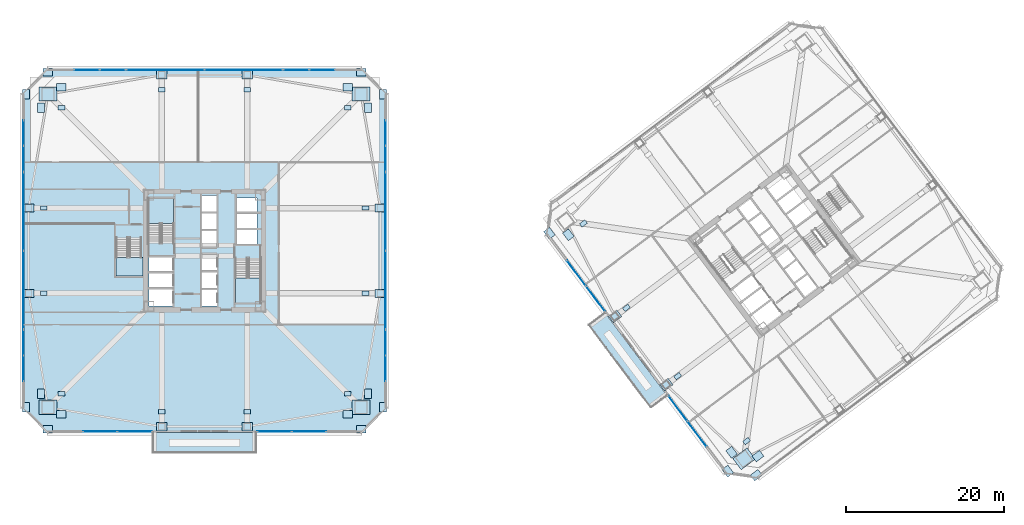
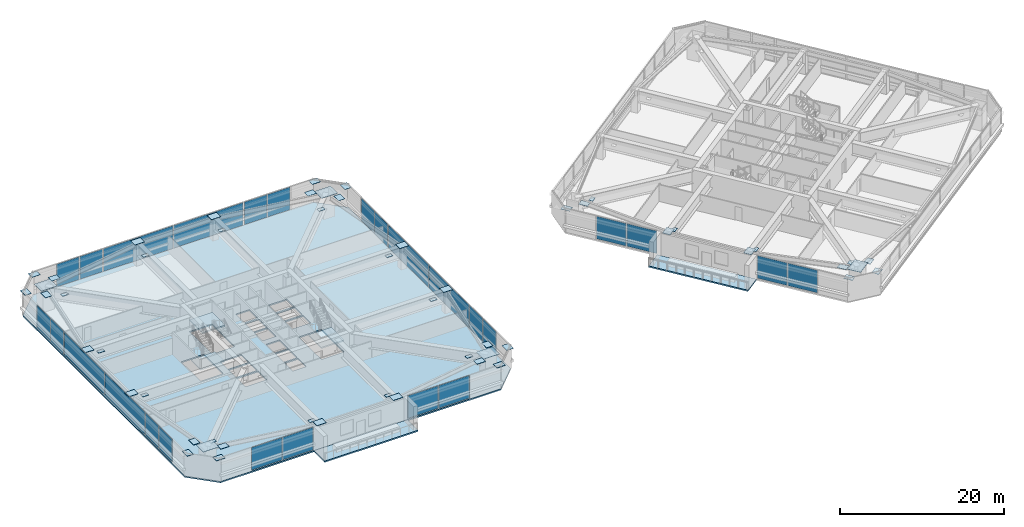
# One storey, part 36 of 48: 79 plates, 6 slabs, 16 elements without a shape of their own.
"""IFC4 building model written with IfcOpenShell, lengths in metres."""

from ifc_helpers import new_model, si_unit, direction, frame, origin, origin_2d, place, context, subcontext, project, spatial, polyline, rectangle, outline, extrude, material, layer, layer_set, type_object, element, aggregate, save


model = new_model("IFC4")

# Units and contexts
model_context = context("Model", 3, precision=1e-05, world=origin(), true_north=direction((0.0, 1.0)))
body_context = subcontext(model_context, "Body", "Model", "MODEL_VIEW")
ifc_project = project(units=[si_unit("LENGTHUNIT", "METRE"), si_unit("AREAUNIT", "SQUARE_METRE"), si_unit("VOLUMEUNIT", "CUBIC_METRE"), si_unit("PLANEANGLEUNIT", "RADIAN"), si_unit("MASSUNIT", "GRAM", prefix="KILO")], contexts=[model_context])

# Site, building, storey
site_placement = place(None, origin())
site = spatial("IfcSite", under=ifc_project, at=site_placement, CompositionType="ELEMENT")
building_placement = place(site_placement, origin())
building = spatial("IfcBuilding", under=site, at=building_placement, Name="Tashvorn Skyway Center", CompositionType="ELEMENT")
storey_placement = place(building_placement, frame((0.0, 0.0, 63.64990234375)))
storey = spatial("IfcBuildingStorey", under=building, at=storey_placement, Name="L16", CompositionType="ELEMENT", Elevation=63.64990234375)

# Curtain wall, plates
ifc_material_1 = material(Name="Thermally broken bronze-anodized aluminium 6063-T6", Category="aluminium")
curtain_wall_type = type_object("IfcCurtainWallType", Name="CW-CW-Z1", PredefinedType="NOTDEFINED", material=ifc_material_1)
curtain_wall_1_placement = place(storey_placement, origin())
curtain_wall_1 = element("IfcCurtainWall", 1, at=curtain_wall_1_placement, inside=storey, type_object=curtain_wall_type, Name="Tower 1 L16 South Curtain Wall L Glazing Group 1", PredefinedType="NOTDEFINED")
ifc_material_2 = material(Name="Low-E solar-control double insulating safety glass", Category="glass")
ifc_layer_1 = layer(ifc_material_2, 0.048095703125)
ifc_layer_set_1 = layer_set([ifc_layer_1], Name="Low-E solar-control double insulating safety glass")
plate_type_1 = type_object("IfcPlateType", Name="CWP-CW-Z1", PredefinedType="CURTAIN_PANEL", material=ifc_layer_set_1)
plate_1_placement = place(storey_placement, frame((55.21875, 9.1201171875, 0.085205078125), z_axis=(0.0, 0.0, 1.0), x_axis=(-1.0, 0.0, 0.0)))
plate_1 = element("IfcPlate", 2, at=plate_1_placement, type_object=plate_type_1, Name="CW-Z1 panel 1.1", PredefinedType="CURTAIN_PANEL", context=body_context, shape_type="SweptSolid", body=[
    extrude(rectangle(XDim=4.299072265625, YDim=0.048095703125, at=origin_2d()), origin(), (0.0, 0.0, 1.0), 3.3798828125),
])
plate_2_placement = place(storey_placement, frame((50.83447265625, 9.1201171875, 0.085205078125), z_axis=(0.0, 0.0, 1.0), x_axis=(-1.0, 0.0, 0.0)))
plate_2 = element("IfcPlate", 3, at=plate_2_placement, type_object=plate_type_1, Name="CW-Z1 panel 2.1", PredefinedType="CURTAIN_PANEL", context=body_context, shape_type="SweptSolid", body=[
    extrude(rectangle(XDim=4.299072265625, YDim=0.048095703125, at=origin_2d()), origin(), (0.0, 0.0, 1.0), 3.3798828125),
])
aggregate(curtain_wall_1, [plate_1, plate_2])

curtain_wall_2_placement = place(storey_placement, origin())
curtain_wall_2 = element("IfcCurtainWall", 4, at=curtain_wall_2_placement, inside=storey, type_object=curtain_wall_type, Name="Tower 1 L16 South Curtain Wall R Glazing Group 1", PredefinedType="NOTDEFINED")
plate_3_placement = place(storey_placement, frame((33.16552734375, 9.1201171875, 0.085205078125), z_axis=(0.0, 0.0, 1.0), x_axis=(-1.0, 0.0, 0.0)))
plate_3 = element("IfcPlate", 5, at=plate_3_placement, type_object=plate_type_1, Name="CW-Z1 panel 1.1", PredefinedType="CURTAIN_PANEL", context=body_context, shape_type="SweptSolid", body=[
    extrude(rectangle(XDim=4.299072265625, YDim=0.048095703125, at=origin_2d()), origin(), (0.0, 0.0, 1.0), 3.3798828125),
])
plate_4_placement = place(storey_placement, frame((28.78125, 9.1201171875, 0.085205078125), z_axis=(0.0, 0.0, 1.0), x_axis=(-1.0, 0.0, 0.0)))
plate_4 = element("IfcPlate", 6, at=plate_4_placement, type_object=plate_type_1, Name="CW-Z1 panel 2.1", PredefinedType="CURTAIN_PANEL", context=body_context, shape_type="SweptSolid", body=[
    extrude(rectangle(XDim=4.299072265625, YDim=0.048095703125, at=origin_2d()), origin(), (0.0, 0.0, 1.0), 3.3798828125),
])
aggregate(curtain_wall_2, [plate_3, plate_4])

curtain_wall_3_placement = place(storey_placement, origin())
curtain_wall_3 = element("IfcCurtainWall", 7, at=curtain_wall_3_placement, inside=storey, type_object=curtain_wall_type, Name="Tower 1 L16 West Unitised Curtain Wall Glazing Group 1", PredefinedType="NOTDEFINED")
plate_5_placement = place(storey_placement, frame((19.1201171875, 17.111328125, 0.085205078125), z_axis=(0.0, 0.0, 1.0), x_axis=(0.0, 1.0, 0.0)))
plate_5 = element("IfcPlate", 8, at=plate_5_placement, type_object=plate_type_1, Name="CW-Z1 panel 1.1", PredefinedType="CURTAIN_PANEL", context=body_context, shape_type="SweptSolid", body=[
    extrude(rectangle(XDim=3.185791015625, YDim=0.048095703125, at=origin_2d()), origin(), (0.0, 0.0, 1.0), 3.3798828125),
])
plate_6_placement = place(storey_placement, frame((19.1201171875, 20.382080078125, 0.085205078125), z_axis=(0.0, 0.0, 1.0), x_axis=(0.0, 1.0, 0.0)))
plate_6 = element("IfcPlate", 9, at=plate_6_placement, type_object=plate_type_1, Name="CW-Z1 panel 2.1", PredefinedType="CURTAIN_PANEL", context=body_context, shape_type="SweptSolid", body=[
    extrude(rectangle(XDim=3.185791015625, YDim=0.048095703125, at=origin_2d()), origin(), (0.0, 0.0, 1.0), 3.3798828125),
])
aggregate(curtain_wall_3, [plate_5, plate_6])

curtain_wall_4_placement = place(storey_placement, origin())
curtain_wall_4 = element("IfcCurtainWall", 10, at=curtain_wall_4_placement, inside=storey, type_object=curtain_wall_type, Name="Tower 1 L16 West Unitised Curtain Wall Glazing Group 2", PredefinedType="NOTDEFINED")
plate_7_placement = place(storey_placement, frame((19.1201171875, 27.05126953125, 0.085205078125), z_axis=(0.0, 0.0, 1.0), x_axis=(0.0, 1.0, 0.0)))
plate_7 = element("IfcPlate", 11, at=plate_7_placement, type_object=plate_type_1, Name="CW-Z1 panel 1.1", PredefinedType="CURTAIN_PANEL", context=body_context, shape_type="SweptSolid", body=[
    extrude(rectangle(XDim=9.8125, YDim=0.048095703125, at=origin_2d()), origin(), (0.0, 0.0, 1.0), 3.3798828125),
])
plate_8_placement = place(storey_placement, frame((19.1201171875, 36.94873046875, 0.085205078125), z_axis=(0.0, 0.0, 1.0), x_axis=(0.0, 1.0, 0.0)))
plate_8 = element("IfcPlate", 12, at=plate_8_placement, type_object=plate_type_1, Name="CW-Z1 panel 2.1", PredefinedType="CURTAIN_PANEL", context=body_context, shape_type="SweptSolid", body=[
    extrude(rectangle(XDim=9.8125, YDim=0.048095703125, at=origin_2d()), origin(), (0.0, 0.0, 1.0), 3.3798828125),
])
aggregate(curtain_wall_4, [plate_7, plate_8])

curtain_wall_5_placement = place(storey_placement, origin())
curtain_wall_5 = element("IfcCurtainWall", 13, at=curtain_wall_5_placement, inside=storey, type_object=curtain_wall_type, Name="Tower 1 L16 West Unitised Curtain Wall Glazing Group 3", PredefinedType="NOTDEFINED")
plate_9_placement = place(storey_placement, frame((19.1201171875, 43.617919921875, 0.085205078125), z_axis=(0.0, 0.0, 1.0), x_axis=(0.0, 1.0, 0.0)))
plate_9 = element("IfcPlate", 14, at=plate_9_placement, type_object=plate_type_1, Name="CW-Z1 panel 1.1", PredefinedType="CURTAIN_PANEL", context=body_context, shape_type="SweptSolid", body=[
    extrude(rectangle(XDim=3.185791015625, YDim=0.048095703125, at=origin_2d()), origin(), (0.0, 0.0, 1.0), 3.3798828125),
])
plate_10_placement = place(storey_placement, frame((19.1201171875, 46.888671875, 0.085205078125), z_axis=(0.0, 0.0, 1.0), x_axis=(0.0, 1.0, 0.0)))
plate_10 = element("IfcPlate", 15, at=plate_10_placement, type_object=plate_type_1, Name="CW-Z1 panel 2.1", PredefinedType="CURTAIN_PANEL", context=body_context, shape_type="SweptSolid", body=[
    extrude(rectangle(XDim=3.185791015625, YDim=0.048095703125, at=origin_2d()), origin(), (0.0, 0.0, 1.0), 3.3798828125),
])
aggregate(curtain_wall_5, [plate_9, plate_10])

curtain_wall_6_placement = place(storey_placement, origin())
curtain_wall_6 = element("IfcCurtainWall", 16, at=curtain_wall_6_placement, inside=storey, type_object=curtain_wall_type, Name="Tower 1 L16 North Unitised Curtain Wall Glazing Group 1", PredefinedType="NOTDEFINED")
plate_11_placement = place(storey_placement, frame((27.111328125, 54.8798828125, 0.085205078125), z_axis=(0.0, 0.0, 1.0), x_axis=(1.0, 0.0, 0.0)))
plate_11 = element("IfcPlate", 17, at=plate_11_placement, type_object=plate_type_1, Name="CW-Z1 panel 1.1", PredefinedType="CURTAIN_PANEL", context=body_context, shape_type="SweptSolid", body=[
    extrude(rectangle(XDim=3.185791015625, YDim=0.048095703125, at=origin_2d()), origin(), (0.0, 0.0, 1.0), 3.3798828125),
])
plate_12_placement = place(storey_placement, frame((30.382080078125, 54.8798828125, 0.085205078125), z_axis=(0.0, 0.0, 1.0), x_axis=(1.0, 0.0, 0.0)))
plate_12 = element("IfcPlate", 18, at=plate_12_placement, type_object=plate_type_1, Name="CW-Z1 panel 2.1", PredefinedType="CURTAIN_PANEL", context=body_context, shape_type="SweptSolid", body=[
    extrude(rectangle(XDim=3.185791015625, YDim=0.048095703125, at=origin_2d()), origin(), (0.0, 0.0, 1.0), 3.3798828125),
])
aggregate(curtain_wall_6, [plate_11, plate_12])

curtain_wall_7_placement = place(storey_placement, origin())
curtain_wall_7 = element("IfcCurtainWall", 19, at=curtain_wall_7_placement, inside=storey, type_object=curtain_wall_type, Name="Tower 1 L16 North Unitised Curtain Wall Glazing Group 2", PredefinedType="NOTDEFINED")
plate_13_placement = place(storey_placement, frame((37.05126953125, 54.8798828125, 0.085205078125), z_axis=(0.0, 0.0, 1.0), x_axis=(1.0, 0.0, 0.0)))
plate_13 = element("IfcPlate", 20, at=plate_13_placement, type_object=plate_type_1, Name="CW-Z1 panel 1.1", PredefinedType="CURTAIN_PANEL", context=body_context, shape_type="SweptSolid", body=[
    extrude(rectangle(XDim=9.8125, YDim=0.048095703125, at=origin_2d()), origin(), (0.0, 0.0, 1.0), 3.3798828125),
])
plate_14_placement = place(storey_placement, frame((46.94873046875, 54.8798828125, 0.085205078125), z_axis=(0.0, 0.0, 1.0), x_axis=(1.0, 0.0, 0.0)))
plate_14 = element("IfcPlate", 21, at=plate_14_placement, type_object=plate_type_1, Name="CW-Z1 panel 2.1", PredefinedType="CURTAIN_PANEL", context=body_context, shape_type="SweptSolid", body=[
    extrude(rectangle(XDim=9.8125, YDim=0.048095703125, at=origin_2d()), origin(), (0.0, 0.0, 1.0), 3.3798828125),
])
aggregate(curtain_wall_7, [plate_13, plate_14])

curtain_wall_8_placement = place(storey_placement, origin())
curtain_wall_8 = element("IfcCurtainWall", 22, at=curtain_wall_8_placement, inside=storey, type_object=curtain_wall_type, Name="Tower 1 L16 North Unitised Curtain Wall Glazing Group 3", PredefinedType="NOTDEFINED")
plate_15_placement = place(storey_placement, frame((53.617919921875, 54.8798828125, 0.085205078125), z_axis=(0.0, 0.0, 1.0), x_axis=(1.0, 0.0, 0.0)))
plate_15 = element("IfcPlate", 23, at=plate_15_placement, type_object=plate_type_1, Name="CW-Z1 panel 1.1", PredefinedType="CURTAIN_PANEL", context=body_context, shape_type="SweptSolid", body=[
    extrude(rectangle(XDim=3.185791015625, YDim=0.048095703125, at=origin_2d()), origin(), (0.0, 0.0, 1.0), 3.3798828125),
])
plate_16_placement = place(storey_placement, frame((56.888671875, 54.8798828125, 0.085205078125), z_axis=(0.0, 0.0, 1.0), x_axis=(1.0, 0.0, 0.0)))
plate_16 = element("IfcPlate", 24, at=plate_16_placement, type_object=plate_type_1, Name="CW-Z1 panel 2.1", PredefinedType="CURTAIN_PANEL", context=body_context, shape_type="SweptSolid", body=[
    extrude(rectangle(XDim=3.185791015625, YDim=0.048095703125, at=origin_2d()), origin(), (0.0, 0.0, 1.0), 3.3798828125),
])
aggregate(curtain_wall_8, [plate_15, plate_16])

curtain_wall_9_placement = place(storey_placement, origin())
curtain_wall_9 = element("IfcCurtainWall", 25, at=curtain_wall_9_placement, inside=storey, type_object=curtain_wall_type, Name="Tower 1 L16 East Unitised Curtain Wall Glazing Group 1", PredefinedType="NOTDEFINED")
plate_17_placement = place(storey_placement, frame((64.8798828125, 46.888671875, 0.085205078125), z_axis=(0.0, 0.0, 1.0), x_axis=(0.0, -1.0, 0.0)))
plate_17 = element("IfcPlate", 26, at=plate_17_placement, type_object=plate_type_1, Name="CW-Z1 panel 1.1", PredefinedType="CURTAIN_PANEL", context=body_context, shape_type="SweptSolid", body=[
    extrude(rectangle(XDim=3.185791015625, YDim=0.048095703125, at=origin_2d()), origin(), (0.0, 0.0, 1.0), 3.3798828125),
])
plate_18_placement = place(storey_placement, frame((64.8798828125, 43.617919921875, 0.085205078125), z_axis=(0.0, 0.0, 1.0), x_axis=(0.0, -1.0, 0.0)))
plate_18 = element("IfcPlate", 27, at=plate_18_placement, type_object=plate_type_1, Name="CW-Z1 panel 2.1", PredefinedType="CURTAIN_PANEL", context=body_context, shape_type="SweptSolid", body=[
    extrude(rectangle(XDim=3.185791015625, YDim=0.048095703125, at=origin_2d()), origin(), (0.0, 0.0, 1.0), 3.3798828125),
])
aggregate(curtain_wall_9, [plate_17, plate_18])

curtain_wall_10_placement = place(storey_placement, origin())
curtain_wall_10 = element("IfcCurtainWall", 28, at=curtain_wall_10_placement, inside=storey, type_object=curtain_wall_type, Name="Tower 1 L16 East Unitised Curtain Wall Glazing Group 2", PredefinedType="NOTDEFINED")
plate_19_placement = place(storey_placement, frame((64.8798828125, 36.94873046875, 0.085205078125), z_axis=(0.0, 0.0, 1.0), x_axis=(0.0, -1.0, 0.0)))
plate_19 = element("IfcPlate", 29, at=plate_19_placement, type_object=plate_type_1, Name="CW-Z1 panel 1.1", PredefinedType="CURTAIN_PANEL", context=body_context, shape_type="SweptSolid", body=[
    extrude(rectangle(XDim=9.8125, YDim=0.048095703125, at=origin_2d()), origin(), (0.0, 0.0, 1.0), 3.3798828125),
])
plate_20_placement = place(storey_placement, frame((64.8798828125, 27.05126953125, 0.085205078125), z_axis=(0.0, 0.0, 1.0), x_axis=(0.0, -1.0, 0.0)))
plate_20 = element("IfcPlate", 30, at=plate_20_placement, type_object=plate_type_1, Name="CW-Z1 panel 2.1", PredefinedType="CURTAIN_PANEL", context=body_context, shape_type="SweptSolid", body=[
    extrude(rectangle(XDim=9.8125, YDim=0.048095703125, at=origin_2d()), origin(), (0.0, 0.0, 1.0), 3.3798828125),
])
aggregate(curtain_wall_10, [plate_19, plate_20])

curtain_wall_11_placement = place(storey_placement, origin())
curtain_wall_11 = element("IfcCurtainWall", 31, at=curtain_wall_11_placement, inside=storey, type_object=curtain_wall_type, Name="Tower 1 L16 East Unitised Curtain Wall Glazing Group 3", PredefinedType="NOTDEFINED")
plate_21_placement = place(storey_placement, frame((64.8798828125, 20.382080078125, 0.085205078125), z_axis=(0.0, 0.0, 1.0), x_axis=(0.0, -1.0, 0.0)))
plate_21 = element("IfcPlate", 32, at=plate_21_placement, type_object=plate_type_1, Name="CW-Z1 panel 1.1", PredefinedType="CURTAIN_PANEL", context=body_context, shape_type="SweptSolid", body=[
    extrude(rectangle(XDim=3.185791015625, YDim=0.048095703125, at=origin_2d()), origin(), (0.0, 0.0, 1.0), 3.3798828125),
])
plate_22_placement = place(storey_placement, frame((64.8798828125, 17.111328125, 0.085205078125), z_axis=(0.0, 0.0, 1.0), x_axis=(0.0, -1.0, 0.0)))
plate_22 = element("IfcPlate", 33, at=plate_22_placement, type_object=plate_type_1, Name="CW-Z1 panel 2.1", PredefinedType="CURTAIN_PANEL", context=body_context, shape_type="SweptSolid", body=[
    extrude(rectangle(XDim=3.185791015625, YDim=0.048095703125, at=origin_2d()), origin(), (0.0, 0.0, 1.0), 3.3798828125),
])
aggregate(curtain_wall_11, [plate_21, plate_22])

curtain_wall_12_placement = place(storey_placement, origin())
curtain_wall_12 = element("IfcCurtainWall", 34, at=curtain_wall_12_placement, inside=storey, type_object=curtain_wall_type, Name="Tower 2 L16 West Curtain Wall L Glazing Group 1", PredefinedType="NOTDEFINED")
plate_23_placement = place(storey_placement, frame((104.287353515625, 8.817138671875, 0.085205078125), z_axis=(0.0, 0.0, 1.0), x_axis=(-0.600001954406, 0.799998534192, 0.0)))
plate_23 = element("IfcPlate", 35, at=plate_23_placement, type_object=plate_type_1, Name="CW-Z1 panel 1.1", PredefinedType="CURTAIN_PANEL", context=body_context, shape_type="SweptSolid", body=[
    extrude(rectangle(XDim=3.9658203125, YDim=0.048095703125, at=origin_2d()), origin(), (0.0, 0.0, 1.0), 3.3798828125),
])
plate_24_placement = place(storey_placement, frame((101.856689453125, 12.0576171875, 0.085205078125), z_axis=(0.0, 0.0, 1.0), x_axis=(-0.600001954406, 0.799998534192, 0.0)))
plate_24 = element("IfcPlate", 36, at=plate_24_placement, type_object=plate_type_1, Name="CW-Z1 panel 2.1", PredefinedType="CURTAIN_PANEL", context=body_context, shape_type="SweptSolid", body=[
    extrude(rectangle(XDim=3.9658203125, YDim=0.048095703125, at=origin_2d()), origin(), (0.0, 0.0, 1.0), 3.3798828125),
])
aggregate(curtain_wall_12, [plate_23, plate_24])

curtain_wall_13_placement = place(storey_placement, origin())
curtain_wall_13 = element("IfcCurtainWall", 37, at=curtain_wall_13_placement, inside=storey, type_object=curtain_wall_type, Name="Tower 2 L16 West Curtain Wall R Glazing Group 1", PredefinedType="NOTDEFINED")
plate_25_placement = place(storey_placement, frame((91.455322265625, 25.92626953125, 0.085205078125), z_axis=(0.0, 0.0, 1.0), x_axis=(-0.600001954406, 0.799998534192, 0.0)))
plate_25 = element("IfcPlate", 38, at=plate_25_placement, type_object=plate_type_1, Name="CW-Z1 panel 1.1", PredefinedType="CURTAIN_PANEL", context=body_context, shape_type="SweptSolid", body=[
    extrude(rectangle(XDim=3.9658203125, YDim=0.048095703125, at=origin_2d()), origin(), (0.0, 0.0, 1.0), 3.3798828125),
])
plate_26_placement = place(storey_placement, frame((89.024658203125, 29.1669921875, 0.085205078125), z_axis=(0.0, 0.0, 1.0), x_axis=(-0.600001954406, 0.799998534192, 0.0)))
plate_26 = element("IfcPlate", 39, at=plate_26_placement, type_object=plate_type_1, Name="CW-Z1 panel 2.1", PredefinedType="CURTAIN_PANEL", context=body_context, shape_type="SweptSolid", body=[
    extrude(rectangle(XDim=3.9658203125, YDim=0.048095703125, at=origin_2d()), origin(), (0.0, 0.0, 1.0), 3.3798828125),
])
aggregate(curtain_wall_13, [plate_25, plate_26])

# Plates
ifc_material_3 = material(Name="Steel ASTM A572 Grade 50", Category="steel")
ifc_layer_2 = layer(ifc_material_3, 0.034912109375)
ifc_layer_set_2 = layer_set([ifc_layer_2], Name="Steel ASTM A572 Grade 50")
plate_type_2 = type_object("IfcPlateType", Name="PLT-CAP-35", PredefinedType="USERDEFINED", material=ifc_layer_set_2)
for number, where, z_axis, x_axis, name in (
    (40, (22.199951171875, 9.419921875, 3.2978515625), (0.0, 0.0, 1.0), (1.0, 0.0, 0.0), "Tower 1 Zone 1 S Brace Top End Plate L"),
    (41, (61.800048828125, 9.419921875, 3.2978515625), (0.0, 0.0, 1.0), (1.0, 0.0, 0.0), "Tower 1 Zone 1 S Brace Top End Plate R"),
    (42, (64.580078125, 12.199951171875, 3.2978515625), (0.0, 0.0, 1.0), (0.0, 1.0, 0.0), "Tower 1 Zone 1 E Brace Top End Plate L"),
    (43, (64.580078125, 51.800048828125, 3.2978515625), (0.0, 0.0, 1.0), (0.0, 1.0, 0.0), "Tower 1 Zone 1 E Brace Top End Plate R"),
    (44, (61.800048828125, 54.580078125, 3.2978515625), (0.0, 0.0, 1.0), (-1.0, 0.0, 0.0), "Tower 1 Zone 1 N Brace Top End Plate L"),
    (45, (22.199951171875, 54.580078125, 3.2978515625), (0.0, 0.0, 1.0), (-1.0, 0.0, 0.0), "Tower 1 Zone 1 N Brace Top End Plate R"),
    (46, (19.419921875, 51.800048828125, 3.2978515625), (0.0, 0.0, 1.0), (0.0, -1.0, 0.0), "Tower 1 Zone 1 W Brace Top End Plate L"),
    (47, (19.419921875, 12.199951171875, 3.2978515625), (0.0, 0.0, 1.0), (0.0, -1.0, 0.0), "Tower 1 Zone 1 W Brace Top End Plate R"),
    (48, (111.7880859375, 3.615966796875, 3.2978515625), (0.0, 0.0, 1.0), (0.799999996291, 0.600000004945, 0.0), "Tower 2 Zone 1 S Brace Top End Plate L"),
    (49, (85.615966796875, 34.2119140625, 3.2978515625), (0.0, 0.0, 1.0), (0.600000004945, -0.799999996291, 0.0), "Tower 2 Zone 1 W Brace Top End Plate L"),
    (50, (108.176025390625, 4.132080078125, 3.2978515625), (0.0, 0.0, 1.0), (0.600000004945, -0.799999996291, 0.0), "Tower 2 Zone 1 W Brace Top End Plate R"),
    (51, (23.89990234375, 11.320068359375, 3.2978515625), (0.0, 0.0, 1.0), (1.0, 0.0, 0.0), "Tower 1 Zone 2 S Brace Base End Plate L"),
    (52, (60.10009765625, 11.320068359375, 3.2978515625), (0.0, 0.0, 1.0), (1.0, 0.0, 0.0), "Tower 1 Zone 2 S Brace Base End Plate R"),
    (53, (62.679931640625, 13.89990234375, 3.2978515625), (0.0, 0.0, 1.0), (0.0, 1.0, 0.0), "Tower 1 Zone 2 E Brace Base End Plate L"),
    (54, (62.679931640625, 50.10009765625, 3.2978515625), (0.0, 0.0, 1.0), (0.0, 1.0, 0.0), "Tower 1 Zone 2 E Brace Base End Plate R"),
    (55, (60.10009765625, 52.679931640625, 3.2978515625), (0.0, 0.0, 1.0), (-1.0, 0.0, 0.0), "Tower 1 Zone 2 N Brace Base End Plate L"),
    (56, (23.89990234375, 52.679931640625, 3.2978515625), (0.0, 0.0, 1.0), (-1.0, 0.0, 0.0), "Tower 1 Zone 2 N Brace Base End Plate R"),
    (57, (21.320068359375, 50.10009765625, 3.2978515625), (0.0, 0.0, 1.0), (0.0, -1.0, 0.0), "Tower 1 Zone 2 W Brace Base End Plate L"),
    (58, (21.320068359375, 13.89990234375, 3.2978515625), (0.0, 0.0, 1.0), (0.0, -1.0, 0.0), "Tower 1 Zone 2 W Brace Base End Plate R"),
    (59, (111.988037109375, 6.01611328125, 3.2978515625), (0.0, 0.0, 1.0), (0.799999996291, 0.600000004945, 0.0), "Tower 2 Zone 2 S Brace Base End Plate L"),
    (60, (88.01611328125, 34.011962890625, 3.2978515625), (0.0, 0.0, 1.0), (0.600000004945, -0.799999996291, 0.0), "Tower 2 Zone 2 W Brace Base End Plate L"),
    (61, (108.656005859375, 6.491943359375, 3.2978515625), (0.0, 0.0, 1.0), (0.600000004945, -0.799999996291, 0.0), "Tower 2 Zone 2 W Brace Base End Plate R"),
):
    element("IfcPlate", number, at=place(storey_placement, frame(where, z_axis=z_axis, x_axis=x_axis)), inside=storey, type_object=plate_type_2, Name=name, ObjectType="END PLATE", PredefinedType="USERDEFINED", context=body_context, shape_type="SweptSolid", body=[
        extrude(rectangle(XDim=1.199951171875, YDim=0.919921875, at=origin_2d()), origin(), (0.0, 0.0, 1.0), 0.034912109375),
    ])
ifc_layer_3 = layer(ifc_material_3, 0.050048828125)
ifc_layer_set_3 = layer_set([ifc_layer_3], Name="Steel ASTM A572 Grade 50")
plate_type_3 = type_object("IfcPlateType", Name="PLT-ENDCAP-1650", PredefinedType="USERDEFINED", material=ifc_layer_set_3)
for number, where, z_axis, x_axis, name in (
    (62, (22.199951171875, 12.199951171875, 3.33984375), (0.0, 0.0, 1.0), (1.0, 0.0, 0.0), "Tower 1 L16 MC-SW Setback Cap End Plate"),
    (63, (61.800048828125, 12.199951171875, 3.33984375), (0.0, 0.0, 1.0), (1.0, 0.0, 0.0), "Tower 1 L16 MC-SE Setback Cap End Plate"),
    (64, (61.800048828125, 51.800048828125, 3.33984375), (0.0, 0.0, 1.0), (1.0, 0.0, 0.0), "Tower 1 L16 MC-NE Setback Cap End Plate"),
    (65, (22.199951171875, 51.800048828125, 3.33984375), (0.0, 0.0, 1.0), (1.0, 0.0, 0.0), "Tower 1 L16 MC-NW Setback Cap End Plate"),
    (66, (110.239990234375, 5.679931640625, 3.33984375), (0.0, 0.0, 1.0), (0.799999996291, 0.600000004945, 0.0), "Tower 2 L16 MC-SW Setback Cap End Plate"),
):
    element("IfcPlate", number, at=place(storey_placement, frame(where, z_axis=z_axis, x_axis=x_axis)), inside=storey, type_object=plate_type_3, Name=name, ObjectType="END PLATE", PredefinedType="USERDEFINED", context=body_context, shape_type="SweptSolid", body=[
        extrude(rectangle(XDim=2.25, YDim=1.780029296875, at=origin_2d()), origin(), (0.0, 0.0, 1.0), 0.050048828125),
    ])
ifc_layer_4 = layer(ifc_material_3, 0.050048828125)
ifc_layer_set_4 = layer_set([ifc_layer_4], Name="Steel ASTM A572 Grade 50")
plate_type_4 = type_object("IfcPlateType", Name="PLT-ENDCAP-900", PredefinedType="USERDEFINED", material=ifc_layer_set_4)
for number, where, z_axis, x_axis, name in (
    (67, (36.60009765625, 9.75, 3.33984375), (0.0, 0.0, 1.0), (1.0, 0.0, 0.0), "Tower 1 L16 FC-S1 Setback Cap End Plate"),
    (68, (47.39990234375, 9.75, 3.33984375), (0.0, 0.0, 1.0), (1.0, 0.0, 0.0), "Tower 1 L16 FC-S2 Setback Cap End Plate"),
    (69, (64.25, 26.60009765625, 3.33984375), (0.0, 0.0, 1.0), (1.0, 0.0, 0.0), "Tower 1 L16 FC-E1 Setback Cap End Plate"),
    (70, (64.25, 37.39990234375, 3.33984375), (0.0, 0.0, 1.0), (1.0, 0.0, 0.0), "Tower 1 L16 FC-E2 Setback Cap End Plate"),
    (71, (47.39990234375, 54.25, 3.33984375), (0.0, 0.0, 1.0), (1.0, 0.0, 0.0), "Tower 1 L16 FC-N1 Setback Cap End Plate"),
    (72, (36.60009765625, 54.25, 3.33984375), (0.0, 0.0, 1.0), (1.0, 0.0, 0.0), "Tower 1 L16 FC-N2 Setback Cap End Plate"),
    (73, (19.75, 37.39990234375, 3.33984375), (0.0, 0.0, 1.0), (1.0, 0.0, 0.0), "Tower 1 L16 FC-W1 Setback Cap End Plate"),
    (74, (19.75, 26.60009765625, 3.33984375), (0.0, 0.0, 1.0), (1.0, 0.0, 0.0), "Tower 1 L16 FC-W2 Setback Cap End Plate"),
    (75, (93.919921875, 23.68994140625, 3.33984375), (0.0, 0.0, 1.0), (0.799999996291, 0.600000004945, 0.0), "Tower 2 L16 FC-W1 Setback Cap End Plate"),
    (76, (100.39990234375, 15.050048828125, 3.33984375), (0.0, 0.0, 1.0), (0.799999996291, 0.600000004945, 0.0), "Tower 2 L16 FC-W2 Setback Cap End Plate"),
):
    element("IfcPlate", number, at=place(storey_placement, frame(where, z_axis=z_axis, x_axis=x_axis)), inside=storey, type_object=plate_type_4, Name=name, ObjectType="END PLATE", PredefinedType="USERDEFINED", context=body_context, shape_type="SweptSolid", body=[
        extrude(rectangle(XDim=1.35009765625, YDim=1.050048828125, at=origin_2d()), origin(), (0.0, 0.0, 1.0), 0.050048828125),
    ])
ifc_layer_5 = layer(ifc_material_3, 0.030029296875)
ifc_layer_set_5 = layer_set([ifc_layer_5], Name="Steel ASTM A572 Grade 50")
plate_type_5 = type_object("IfcPlateType", Name="PLT-STIFF-30", PredefinedType="SHEET", material=ifc_layer_set_5)
for number, where, z_axis, x_axis, name in (
    (77, (23.89990234375, 13.89990234375, 2.43505859375), (0.0, 0.0, 1.0), (1.0, 0.0, 0.0), "Tower 1 L16 Transfer Bearing Stiffener MC-SW"),
    (78, (60.10009765625, 13.89990234375, 2.43505859375), (0.0, 0.0, 1.0), (1.0, 0.0, 0.0), "Tower 1 L16 Transfer Bearing Stiffener MC-SE"),
    (79, (60.10009765625, 50.10009765625, 2.43505859375), (0.0, 0.0, 1.0), (1.0, 0.0, 0.0), "Tower 1 L16 Transfer Bearing Stiffener MC-NE"),
    (80, (23.89990234375, 50.10009765625, 2.43505859375), (0.0, 0.0, 1.0), (1.0, 0.0, 0.0), "Tower 1 L16 Transfer Bearing Stiffener MC-NW"),
    (81, (36.60009765625, 11.64990234375, 2.43505859375), (0.0, 0.0, 1.0), (1.0, 0.0, 0.0), "Tower 1 L16 Transfer Bearing Stiffener FC-S1"),
    (82, (47.39990234375, 11.64990234375, 2.43505859375), (0.0, 0.0, 1.0), (1.0, 0.0, 0.0), "Tower 1 L16 Transfer Bearing Stiffener FC-S2"),
    (83, (62.35009765625, 26.60009765625, 2.43505859375), (0.0, 0.0, 1.0), (1.0, 0.0, 0.0), "Tower 1 L16 Transfer Bearing Stiffener FC-E1"),
    (84, (62.35009765625, 37.39990234375, 2.43505859375), (0.0, 0.0, 1.0), (1.0, 0.0, 0.0), "Tower 1 L16 Transfer Bearing Stiffener FC-E2"),
    (85, (47.39990234375, 52.35009765625, 2.43505859375), (0.0, 0.0, 1.0), (1.0, 0.0, 0.0), "Tower 1 L16 Transfer Bearing Stiffener FC-N1"),
    (86, (36.60009765625, 52.35009765625, 2.43505859375), (0.0, 0.0, 1.0), (1.0, 0.0, 0.0), "Tower 1 L16 Transfer Bearing Stiffener FC-N2"),
    (87, (21.64990234375, 37.39990234375, 2.43505859375), (0.0, 0.0, 1.0), (1.0, 0.0, 0.0), "Tower 1 L16 Transfer Bearing Stiffener FC-W1"),
    (88, (21.64990234375, 26.60009765625, 2.43505859375), (0.0, 0.0, 1.0), (1.0, 0.0, 0.0), "Tower 1 L16 Transfer Bearing Stiffener FC-W2"),
    (89, (110.56005859375, 7.919921875, 2.43505859375), (0.0, 0.0, 1.0), (0.799999996291, 0.600000004945, 0.0), "Tower 2 L16 Transfer Bearing Stiffener MC-SW"),
    (90, (89.919921875, 35.43994140625, 2.43505859375), (0.0, 0.0, 1.0), (0.799999996291, 0.600000004945, 0.0), "Tower 2 L16 Transfer Bearing Stiffener MC-NW"),
    (91, (95.360107421875, 24.77001953125, 2.43505859375), (0.0, 0.0, 1.0), (0.799999996291, 0.600000004945, 0.0), "Tower 2 L16 Transfer Bearing Stiffener FC-W1"),
    (92, (101.840087890625, 16.1298828125, 2.43505859375), (0.0, 0.0, 1.0), (0.799999996291, 0.600000004945, 0.0), "Tower 2 L16 Transfer Bearing Stiffener FC-W2"),
):
    element("IfcPlate", number, at=place(storey_placement, frame(where, z_axis=z_axis, x_axis=x_axis)), inside=storey, type_object=plate_type_5, Name=name, PredefinedType="SHEET", context=body_context, shape_type="SweptSolid", body=[
        extrude(rectangle(XDim=0.85009765625, YDim=0.550048828125, at=origin_2d()), origin(), (0.0, 0.0, 1.0), 0.030029296875),
    ])

# Slab
ifc_material_4 = material(Name="Concrete C40/50", Category="concrete")
ifc_layer_6 = layer(ifc_material_4, 0.199951171875)
ifc_layer_set_6 = layer_set([ifc_layer_6], Name="Concrete C40/50")
slab_type_1 = type_object("IfcSlabType", Name="SLAB-FLR-200", PredefinedType="FLOOR", material=ifc_layer_set_6)
slab_1_placement = place(storey_placement, frame((0.0, 0.0, -0.199951171875)))
element("IfcSlab", 93, at=slab_1_placement, inside=storey, type_object=slab_type_1, Name="Tower 1 L16 Composite Floor Slab", PredefinedType="FLOOR", context=body_context, shape_type="SweptSolid", body=[
    extrude(outline(polyline([(22.199951171875, 9.0), (61.800048828125, 9.0), (65.0, 12.199951171875), (65.0, 51.800048828125), (61.800048828125, 55.0), (22.199951171875, 55.0), (19.0, 51.800048828125), (19.0, 12.199951171875), (22.199951171875, 9.0)]), holes=[polyline([(38.10009765625, 33.080078125), (38.10009765625, 38.60009765625), (34.89990234375, 38.60009765625), (34.89990234375, 33.080078125), (38.10009765625, 33.080078125)]), polyline([(45.89990234375, 30.919921875), (45.89990234375, 25.39990234375), (49.10009765625, 25.39990234375), (49.10009765625, 30.919921875), (45.89990234375, 30.919921875)]), polyline([(30.800048828125, 33.52001953125), (30.800048828125, 28.800048828125), (34.0, 28.800048828125), (34.0, 33.52001953125), (30.800048828125, 33.52001953125)]), polyline([(34.949951171875, 29.35009765625), (37.949951171875, 29.35009765625), (37.949951171875, 31.199951171875), (34.949951171875, 31.199951171875), (34.949951171875, 29.35009765625)]), polyline([(34.949951171875, 27.35009765625), (37.949951171875, 27.35009765625), (37.949951171875, 29.199951171875), (34.949951171875, 29.199951171875), (34.949951171875, 27.35009765625)]), polyline([(34.949951171875, 25.0), (37.949951171875, 25.0), (37.949951171875, 27.14990234375), (34.949951171875, 27.14990234375), (34.949951171875, 25.0)]), polyline([(41.64990234375, 25.0), (43.550048828125, 25.0), (43.550048828125, 27.050048828125), (41.64990234375, 27.050048828125), (41.64990234375, 25.0)]), polyline([(41.64990234375, 27.25), (43.550048828125, 27.25), (43.550048828125, 29.300048828125), (41.64990234375, 29.300048828125), (41.64990234375, 27.25)]), polyline([(41.64990234375, 29.5), (43.550048828125, 29.5), (43.550048828125, 31.550048828125), (41.64990234375, 31.550048828125), (41.64990234375, 29.5)]), polyline([(41.64990234375, 32.449951171875), (43.550048828125, 32.449951171875), (43.550048828125, 34.5), (41.64990234375, 34.5), (41.64990234375, 32.449951171875)]), polyline([(41.64990234375, 34.699951171875), (43.550048828125, 34.699951171875), (43.550048828125, 36.75), (41.64990234375, 36.75), (41.64990234375, 34.699951171875)]), polyline([(41.64990234375, 36.949951171875), (43.550048828125, 36.949951171875), (43.550048828125, 39.0), (41.64990234375, 39.0), (41.64990234375, 36.949951171875)]), polyline([(46.050048828125, 32.800048828125), (48.64990234375, 32.800048828125), (48.64990234375, 34.64990234375), (46.050048828125, 34.64990234375), (46.050048828125, 32.800048828125)]), polyline([(46.050048828125, 34.85009765625), (48.64990234375, 34.85009765625), (48.64990234375, 36.699951171875), (46.050048828125, 36.699951171875), (46.050048828125, 34.85009765625)]), polyline([(46.050048828125, 36.89990234375), (48.64990234375, 36.89990234375), (48.64990234375, 38.64990234375), (46.050048828125, 38.64990234375), (46.050048828125, 36.89990234375)])]), origin(), (0.0, 0.0, 1.0), 0.199951171875),
])

# Stair, slab
stair_type = type_object("IfcStairType", Name="STAIR-CORE-1500", PredefinedType="HALF_TURN_STAIR", material=ifc_material_4)
stair_1_placement = place(storey_placement, origin())
stair_1 = element("IfcStair", 94, at=stair_1_placement, inside=storey, type_object=stair_type, Name="L16 Tower 1 Exit Stair 1", PredefinedType="HALF_TURN_STAIR")
ifc_layer_7 = layer(ifc_material_4, 0.199951171875)
ifc_layer_set_7 = layer_set([ifc_layer_7], Name="Concrete C40/50")
slab_type_2 = type_object("IfcSlabType", Name="SLAB-LAND-200", PredefinedType="LANDING", material=ifc_layer_set_7)
slab_2_placement = place(storey_placement, frame((0.0, 0.0, 1.5751953125)))
slab_2 = element("IfcSlab", 95, at=slab_2_placement, type_object=slab_type_2, Name="ST-T1-1 landing 1", PredefinedType="LANDING", context=body_context, shape_type="SweptSolid", body=[
    extrude(outline(polyline([(38.10009765625, 35.43994140625), (38.10009765625, 38.60009765625), (34.89990234375, 38.60009765625), (34.89990234375, 35.43994140625), (38.10009765625, 35.43994140625)])), origin(), (0.0, 0.0, 1.0), 0.199951171875),
])
aggregate(stair_1, [slab_2])

stair_2_placement = place(storey_placement, origin())
stair_2 = element("IfcStair", 96, at=stair_2_placement, inside=storey, type_object=stair_type, Name="L16 Tower 1 Exit Stair 2", PredefinedType="HALF_TURN_STAIR")
slab_3_placement = place(storey_placement, frame((0.0, 0.0, 1.5751953125)))
slab_3 = element("IfcSlab", 97, at=slab_3_placement, type_object=slab_type_2, Name="ST-T1-2 landing 1", PredefinedType="LANDING", context=body_context, shape_type="SweptSolid", body=[
    extrude(outline(polyline([(45.89990234375, 28.56005859375), (45.89990234375, 25.39990234375), (49.10009765625, 25.39990234375), (49.10009765625, 28.56005859375), (45.89990234375, 28.56005859375)])), origin(), (0.0, 0.0, 1.0), 0.199951171875),
])
aggregate(stair_2, [slab_3])

stair_3_placement = place(storey_placement, origin())
stair_3 = element("IfcStair", 98, at=stair_3_placement, inside=storey, type_object=stair_type, Name="L16 Tower 1 Exit Stair 3", PredefinedType="HALF_TURN_STAIR")
slab_4_placement = place(storey_placement, frame((0.0, 0.0, 1.5751953125)))
slab_4 = element("IfcSlab", 99, at=slab_4_placement, type_object=slab_type_2, Name="ST-T1-3 landing 1", PredefinedType="LANDING", context=body_context, shape_type="SweptSolid", body=[
    extrude(outline(polyline([(30.800048828125, 31.159912109375), (30.800048828125, 28.800048828125), (34.199951171875, 28.800048828125), (34.199951171875, 31.159912109375), (30.800048828125, 31.159912109375)])), origin(), (0.0, 0.0, 1.0), 0.199951171875),
])
aggregate(stair_3, [slab_4])

# Slabs
ifc_layer_8 = layer(ifc_material_4, 0.179931640625)
ifc_layer_set_8 = layer_set([ifc_layer_8], Name="Concrete C40/50")
slab_type_3 = type_object("IfcSlabType", Name="SLAB-TERR-200", PredefinedType="FLOOR", material=ifc_layer_set_8)
slab_5_placement = place(storey_placement, frame((0.0, 0.0, -0.199951171875)))
element("IfcSlab", 100, at=slab_5_placement, inside=storey, type_object=slab_type_3, Name="Tower 1 L16 Sky Garden Slab", PredefinedType="FLOOR", context=body_context, shape_type="SweptSolid", body=[
    extrude(outline(polyline([(35.39990234375, 6.39990234375), (48.60009765625, 6.39990234375), (48.60009765625, 9.010009765625), (35.39990234375, 9.010009765625), (35.39990234375, 6.39990234375)])), origin(), (0.0, 0.0, 1.0), 0.199951171875),
])
slab_6_placement = place(storey_placement, frame((0.0, 0.0, -0.199951171875)))
element("IfcSlab", 101, at=slab_6_placement, inside=storey, type_object=slab_type_3, Name="Tower 2 L16 Sky Garden Slab", PredefinedType="FLOOR", context=body_context, shape_type="SweptSolid", body=[
    extrude(outline(polyline([(98.43994140625, 12.080078125), (100.528076171875, 13.64599609375), (92.60791015625, 24.2060546875), (90.52001953125, 22.639892578125), (98.43994140625, 12.080078125)])), origin(), (0.0, 0.0, 1.0), 0.199951171875),
])

save(model, "model.ifc")
